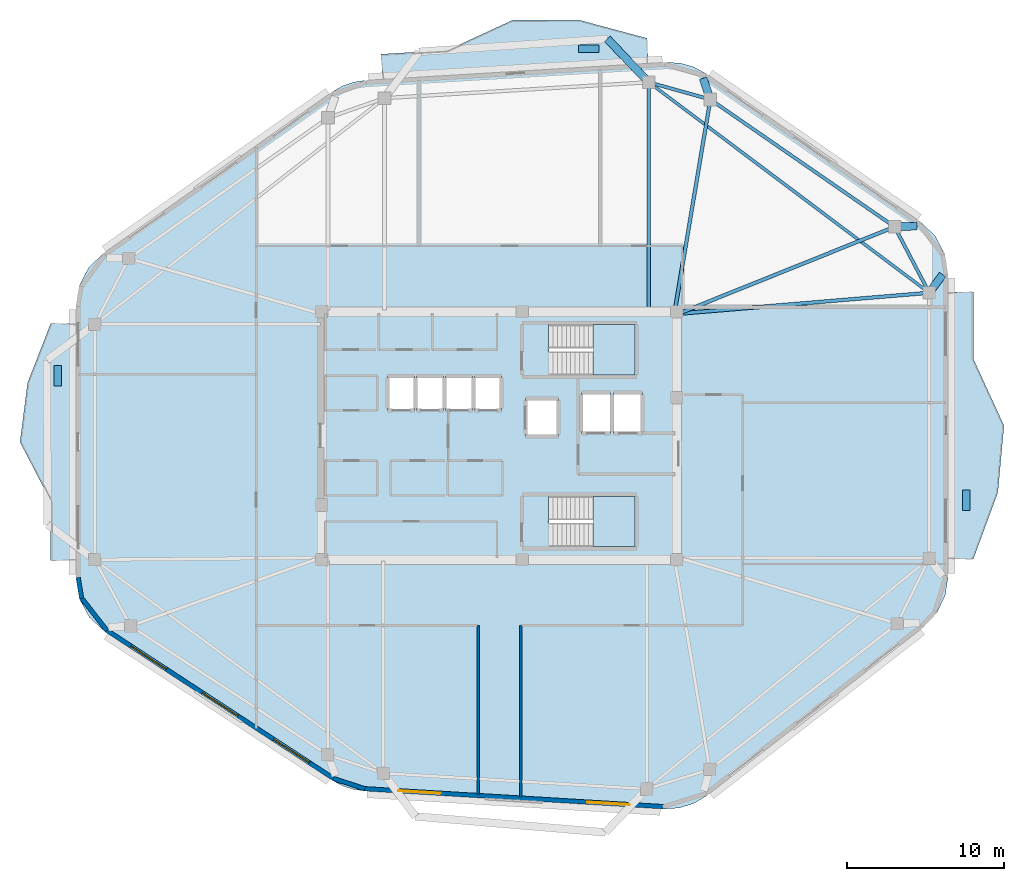
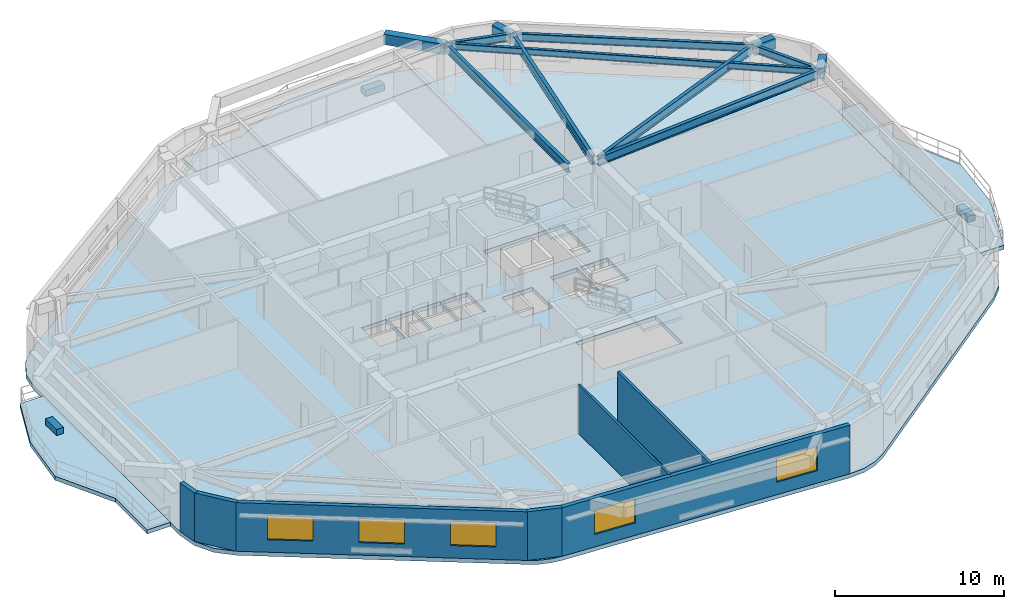
# One storey, part 2 of 9: 12 beams, 7 walls, 6 slabs, 5 windows, 3 plates, 5 openings, 2 elements without a shape of their own.
"""IFC4 building model written with IfcOpenShell, lengths in metres."""

from ifc_helpers import new_model, si_unit, direction, frame, frame_2d, origin, origin_2d, place, context, subcontext, project, spatial, polyline, rectangle, i_section, outline, extrude, material, layer, layer_set, material_profile, profile_set, type_object, element, fill, aggregate, save


model = new_model("IFC4")

# Units and contexts
model_context = context("Model", 3, precision=1e-05, world=origin(), true_north=direction((0.0, 1.0)))
body_context = subcontext(model_context, "Body", "Model", "MODEL_VIEW")
ifc_project = project(units=[si_unit("LENGTHUNIT", "METRE"), si_unit("AREAUNIT", "SQUARE_METRE"), si_unit("VOLUMEUNIT", "CUBIC_METRE"), si_unit("PLANEANGLEUNIT", "RADIAN"), si_unit("MASSUNIT", "GRAM", prefix="KILO")], contexts=[model_context])

# Site, building, storey
site_placement = place(None, origin())
site = spatial("IfcSite", under=ifc_project, at=site_placement, CompositionType="ELEMENT")
building_placement = place(site_placement, origin())
building = spatial("IfcBuilding", under=site, at=building_placement, Name="Zulverin Broadcast Headquarters", CompositionType="ELEMENT")
storey_placement = place(building_placement, frame((0.0, 0.0, 266.800048828125)))
storey = spatial("IfcBuildingStorey", under=building, at=storey_placement, Name="L68", CompositionType="ELEMENT", Elevation=266.800048828125)

# Beams
ifc_material_1 = material(Name="Concrete C40/50", Category="concrete")
ifc_material_profile_1 = material_profile(ifc_material_1, rectangle(XDim=0.5, YDim=0.75, at=origin_2d()), Name="Concrete C40/50", Category="concrete")
ifc_profile_set_1 = profile_set([ifc_material_profile_1], Name="Concrete C40/50")
beam_type_1 = type_object("IfcBeamType", Name="BM-RC-500x750", PredefinedType="BEAM", material=ifc_profile_set_1)
beam_1_placement = place(storey_placement, frame((64.300048828125, 34.275634765625, 3.135009765625), z_axis=(0.594275850381, 0.804261284443, 0.0), x_axis=(-0.804261284443, 0.594275850381, 0.0)))
element("IfcBeam", 1, at=beam_1_placement, inside=storey, type_object=beam_type_1, Name="L69 Plate Overhang Back-Spanned Beam OVR-06", PredefinedType="BEAM", context=body_context, shape_type="SweptSolid", body=[
    extrude(rectangle(XDim=0.5, YDim=0.75, at=origin_2d()), origin(), (0.0, 0.0, 1.0), 1.43017578125),
])
for number, where, z_axis, x_axis, name in (
    (2, (62.102783203125, 38.465087890625, 3.135009765625), (0.99949018153, 0.031927684309, 0.0), (-0.031927684309, 0.99949018153, 0.0), "L69 Plate Overhang Back-Spanned Beam OVR-07"),
    (3, (50.39794921875, 46.554443359375, 3.135009765625), (-0.323542873341, 0.946213511376, 0.0), (-0.946213511376, -0.323542873341, 0.0), "L69 Plate Overhang Back-Spanned Beam OVR-08"),
):
    element("IfcBeam", number, at=place(storey_placement, frame(where, z_axis=z_axis, x_axis=x_axis)), inside=storey, type_object=beam_type_1, Name=name, PredefinedType="BEAM", context=body_context, shape_type="SweptSolid", body=[
        extrude(rectangle(XDim=0.5, YDim=0.75, at=origin_2d()), origin(), (0.0, 0.0, 1.0), 1.429931640625),
    ])
beam_2_placement = place(storey_placement, frame((46.4814453125, 47.6484375, 3.135009765625), z_axis=(-0.689382393643, 0.724397622397, 0.0), x_axis=(-0.724397622397, -0.689382393643, 0.0)))
element("IfcBeam", 4, at=beam_2_placement, inside=storey, type_object=beam_type_1, Name="L69 Balcony Column-Framed Cantilever BAL_N-1", PredefinedType="BEAM", context=body_context, shape_type="SweptSolid", body=[
    extrude(rectangle(XDim=0.5, YDim=0.75, at=origin_2d()), origin(), (0.0, 0.0, 1.0), 3.800048828125),
])
ifc_material_2 = material(Name="Structural steel S355JR", Category="steel")
ifc_material_profile_2 = material_profile(ifc_material_2, i_section(OverallWidth=0.19287109375, OverallDepth=0.46728515625, WebThickness=0.011474609375, FlangeThickness=0.01953125, at=origin_2d()), Name="Structural steel S355JR", Category="steel")
ifc_profile_set_2 = profile_set([ifc_material_profile_2], Name="Structural steel S355JR")
beam_type_2 = type_object("IfcBeamType", Name="BM-UB-457", PredefinedType="JOIST", material=ifc_profile_set_2)
beam_3_placement = place(storey_placement, frame((64.300048828125, 34.275634765625, 3.2763671875), z_axis=(-0.799809280949, 0.600254207905, 0.0), x_axis=(-0.600254207905, -0.799809280949, 0.0)))
element("IfcBeam", 5, at=beam_3_placement, inside=storey, type_object=beam_type_2, Name="L68 Chordal Floor Joist J-02", PredefinedType="JOIST", context=body_context, shape_type="SweptSolid", body=[
    extrude(i_section(OverallWidth=0.19287109375, OverallDepth=0.46728515625, WebThickness=0.011474609375, FlangeThickness=0.01953125, at=origin_2d()), origin(), (0.0, 0.0, 1.0), 22.278564453125),
])
ifc_material_profile_3 = material_profile(ifc_material_2, i_section(OverallWidth=0.2119140625, OverallDepth=0.54443359375, WebThickness=0.0126953125, FlangeThickness=0.021240234375, at=origin_2d()), Name="Structural steel S355JR", Category="steel")
ifc_profile_set_3 = profile_set([ifc_material_profile_3], Name="Structural steel S355JR")
beam_type_3 = type_object("IfcBeamType", Name="BM-UB-533", PredefinedType="SPANDREL", material=ifc_profile_set_3)
beam_4_placement = place(storey_placement, frame((64.300048828125, 34.275634765625, 3.23779296875), z_axis=(-0.464469748171, 0.885588986513, 0.0), x_axis=(-0.885588986513, -0.464469748171, 0.0)))
element("IfcBeam", 6, at=beam_4_placement, inside=storey, type_object=beam_type_3, Name="L68 Perimeter Spandrel Beam SP-06", PredefinedType="SPANDREL", context=body_context, shape_type="SweptSolid", body=[
    extrude(i_section(OverallWidth=0.2119140625, OverallDepth=0.54443359375, WebThickness=0.0126953125, FlangeThickness=0.021240234375, at=origin_2d()), origin(), (0.0, 0.0, 1.0), 4.730712890625),
])
beam_5_placement = place(storey_placement, frame((62.102783203125, 38.465087890625, 3.23779296875), z_axis=(-0.822652126292, 0.568545054597, 0.0), x_axis=(-0.568545054597, -0.822652126292, 0.0)))
element("IfcBeam", 7, at=beam_5_placement, inside=storey, type_object=beam_type_3, Name="L68 Perimeter Spandrel Beam SP-07", PredefinedType="SPANDREL", context=body_context, shape_type="SweptSolid", body=[
    extrude(i_section(OverallWidth=0.2119140625, OverallDepth=0.54443359375, WebThickness=0.0126953125, FlangeThickness=0.021240234375, at=origin_2d()), origin(), (0.0, 0.0, 1.0), 14.228271484375),
])
beam_6_placement = place(storey_placement, frame((50.39794921875, 46.554443359375, 3.23779296875), z_axis=(-0.963131566005, 0.26903082828, 0.0), x_axis=(-0.26903082828, -0.963131566005, 0.0)))
element("IfcBeam", 8, at=beam_6_placement, inside=storey, type_object=beam_type_3, Name="L68 Perimeter Spandrel Beam SP-08", PredefinedType="SPANDREL", context=body_context, shape_type="SweptSolid", body=[
    extrude(i_section(OverallWidth=0.2119140625, OverallDepth=0.54443359375, WebThickness=0.0126953125, FlangeThickness=0.021240234375, at=origin_2d()), origin(), (0.0, 0.0, 1.0), 4.06640625),
])
ifc_material_profile_4 = material_profile(ifc_material_2, i_section(OverallWidth=0.230224609375, OverallDepth=0.6171875, WebThickness=0.01318359375, FlangeThickness=0.022216796875, at=origin_2d()), Name="Structural steel S355JR", Category="steel")
ifc_profile_set_4 = profile_set([ifc_material_profile_4], Name="Structural steel S355JR")
beam_type_4 = type_object("IfcBeamType", Name="BM-UB-610", PredefinedType="BEAM", material=ifc_profile_set_4)
beam_7_placement = place(storey_placement, frame((48.375, 32.949951171875, 3.201416015625), z_axis=(0.996553024533, 0.082958238256, 0.0), x_axis=(-0.082958238256, 0.996553024533, 0.0)))
element("IfcBeam", 9, at=beam_7_placement, inside=storey, type_object=beam_type_4, Name="L68 Radial Primary Floor Beam RB-06", PredefinedType="BEAM", context=body_context, shape_type="SweptSolid", body=[
    extrude(i_section(OverallWidth=0.230224609375, OverallDepth=0.6171875, WebThickness=0.01318359375, FlangeThickness=0.022216796875, at=origin_2d()), origin(), (0.0, 0.0, 1.0), 15.980224609375),
])
beam_8_placement = place(storey_placement, frame((48.375, 32.949951171875, 3.201416015625), z_axis=(0.927915690744, 0.37279011638, 0.0), x_axis=(-0.37279011638, 0.927915690744, 0.0)))
element("IfcBeam", 10, at=beam_8_placement, inside=storey, type_object=beam_type_4, Name="L68 Radial Primary Floor Beam RB-07", PredefinedType="BEAM", context=body_context, shape_type="SweptSolid", body=[
    extrude(i_section(OverallWidth=0.230224609375, OverallDepth=0.6171875, WebThickness=0.01318359375, FlangeThickness=0.022216796875, at=origin_2d()), origin(), (0.0, 0.0, 1.0), 14.794189453125),
])
beam_9_placement = place(storey_placement, frame((48.14990234375, 33.175048828125, 3.201416015625), z_axis=(0.165700339104, 0.986176149388, 0.0), x_axis=(-0.986176149388, 0.165700339104, 0.0)))
element("IfcBeam", 11, at=beam_9_placement, inside=storey, type_object=beam_type_4, Name="L68 Radial Primary Floor Beam RB-08", PredefinedType="BEAM", context=body_context, shape_type="SweptSolid", body=[
    extrude(i_section(OverallWidth=0.230224609375, OverallDepth=0.6171875, WebThickness=0.01318359375, FlangeThickness=0.022216796875, at=origin_2d()), origin(), (0.0, 0.0, 1.0), 13.56689453125),
])
beam_10_placement = place(storey_placement, frame((46.4814453125, 33.175048828125, 3.201416015625), z_axis=(0.0, 1.0, 0.0), x_axis=(-1.0, 0.0, 0.0)))
element("IfcBeam", 12, at=beam_10_placement, inside=storey, type_object=beam_type_4, Name="L68 Radial Primary Floor Beam RB-09", PredefinedType="BEAM", context=body_context, shape_type="SweptSolid", body=[
    extrude(i_section(OverallWidth=0.230224609375, OverallDepth=0.6171875, WebThickness=0.01318359375, FlangeThickness=0.022216796875, at=origin_2d()), origin(), (0.0, 0.0, 1.0), 14.473388671875),
])

# Plates
ifc_material_3 = material(Name="Precast concrete C45/55", Category="concrete")
ifc_layer_1 = layer(ifc_material_3, 0.449951171875, Name="Precast concrete C45/55", Category="concrete")
ifc_layer_set_1 = layer_set([ifc_layer_1], Name="Precast concrete C45/55")
plate_type = type_object("IfcPlateType", Name="PT-01_PRECAST_GFRC_TREE_PLANTER", PredefinedType="USERDEFINED", material=ifc_layer_set_1)
for number, where, z_axis, x_axis, name in (
    (13, (66.64990234375, 21.0908203125, -0.0048828125), (0.0, 0.0, 1.0), (0.0, 1.0, 0.0), "L68 Precast GFRC Tree Planter BAL_E"),
    (14, (42.6767578125, 49.7744140625, -0.0048828125), (0.0, 0.0, 1.0), (1.0, 0.0, 0.0), "L68 Precast GFRC Tree Planter BAL_N"),
    (15, (8.949951171875, 29.0126953125, -0.0048828125), (0.0, 0.0, 1.0), (0.0, 1.0, 0.0), "L68 Precast GFRC Tree Planter BAL_W"),
):
    element("IfcPlate", number, at=place(storey_placement, frame(where, z_axis=z_axis, x_axis=x_axis)), inside=storey, type_object=plate_type, Name=name, ObjectType="PLANTER", PredefinedType="USERDEFINED", context=body_context, shape_type="SweptSolid", body=[
        extrude(rectangle(XDim=1.300048828125, YDim=0.5, at=origin_2d()), origin(), (0.0, 0.0, 1.0), 0.449951171875),
    ])

# Slabs
ifc_layer_2 = layer(ifc_material_1, 0.2900390625, Name="Concrete C40/50", Category="concrete")
ifc_layer_set_2 = layer_set([ifc_layer_2], Name="Concrete C40/50")
slab_type_1 = type_object("IfcSlabType", Name="SLB-BAL-290", PredefinedType="FLOOR", material=ifc_layer_set_2)
slab_1_placement = place(storey_placement, frame((0.0, 0.0, -0.2900390625)))
element("IfcSlab", 16, at=slab_1_placement, inside=storey, type_object=slab_type_1, Name="L68 Cantilevered Planted Balcony Slab BAL_E", PredefinedType="FLOOR", context=body_context, shape_type="SweptSolid", body=[
    extrude(outline(polyline([(65.5, 34.32568359375), (65.5, 17.357666015625), (67.10009765625, 17.357666015625), (68.66162109375, 21.599609375), (69.050048828125, 25.841796875), (67.10009765625, 30.083740234375), (67.10009765625, 34.32568359375), (65.5, 34.32568359375)])), origin(), (0.0, 0.0, 1.0), 0.2900390625),
])
slab_2_placement = place(storey_placement, frame((0.0, 0.0, -0.2900390625)))
element("IfcSlab", 17, at=slab_2_placement, inside=storey, type_object=slab_type_1, Name="L68 Cantilevered Planted Balcony Slab BAL_N", PredefinedType="FLOOR", context=body_context, shape_type="SweptSolid", body=[
    extrude(outline(polyline([(29.5791015625, 47.835693359375), (46.45947265625, 48.849365234375), (46.363525390625, 50.4462890625), (42.05859375, 51.602783203125), (37.824462890625, 51.58740234375), (33.703125, 49.686279296875), (29.483154296875, 49.43310546875), (29.5791015625, 47.835693359375)])), origin(), (0.0, 0.0, 1.0), 0.2900390625),
])
slab_3_placement = place(storey_placement, frame((0.0, 0.0, -0.2900390625)))
element("IfcSlab", 18, at=slab_3_placement, inside=storey, type_object=slab_type_1, Name="L68 Cantilevered Planted Balcony Slab BAL_W", PredefinedType="FLOOR", context=body_context, shape_type="SweptSolid", body=[
    extrude(outline(polyline([(10.10009765625, 17.2685546875), (10.10009765625, 32.3251953125), (8.5, 32.3251953125), (7.031005859375, 28.56103515625), (6.550048828125, 24.797119140625), (8.5, 21.03271484375), (8.5, 17.2685546875), (10.10009765625, 17.2685546875)])), origin(), (0.0, 0.0, 1.0), 0.2900390625),
])

# Stair, slab
stair_type = type_object("IfcStairType", Name="ST-CORE-1500", PredefinedType="HALF_TURN_STAIR", material=ifc_material_1)
stair_1_placement = place(storey_placement, origin())
stair_1 = element("IfcStair", 19, at=stair_1_placement, inside=storey, type_object=stair_type, Name="L68 Core Exit Stair ST-1", PredefinedType="HALF_TURN_STAIR")
ifc_layer_3 = layer(ifc_material_1, 0.199951171875, Name="Concrete C40/50", Category="concrete")
ifc_layer_set_3 = layer_set([ifc_layer_3], Name="Concrete C40/50")
slab_type_2 = type_object("IfcSlabType", Name="SLB-ST-LND200", PredefinedType="LANDING", material=ifc_layer_set_3)
slab_4_placement = place(storey_placement, frame((0.0, 0.0, 1.699951171875)))
slab_4 = element("IfcSlab", 20, at=slab_4_placement, type_object=slab_type_2, Name="ST-1 landing 1", PredefinedType="LANDING", context=body_context, shape_type="SweptSolid", body=[
    extrude(outline(polyline([(42.929931640625, 29.050048828125), (45.60009765625, 29.050048828125), (45.60009765625, 32.25), (42.929931640625, 32.25), (42.929931640625, 29.050048828125)])), origin(), (0.0, 0.0, 1.0), 0.199951171875),
])
aggregate(stair_1, [slab_4])

stair_2_placement = place(storey_placement, origin())
stair_2 = element("IfcStair", 21, at=stair_2_placement, inside=storey, type_object=stair_type, Name="L68 Core Exit Stair ST-2", PredefinedType="HALF_TURN_STAIR")
slab_5_placement = place(storey_placement, frame((0.0, 0.0, 1.699951171875)))
slab_5 = element("IfcSlab", 22, at=slab_5_placement, type_object=slab_type_2, Name="ST-2 landing 1", PredefinedType="LANDING", context=body_context, shape_type="SweptSolid", body=[
    extrude(outline(polyline([(42.929931640625, 18.14990234375), (45.60009765625, 18.14990234375), (45.60009765625, 21.35009765625), (42.929931640625, 21.35009765625), (42.929931640625, 18.14990234375)])), origin(), (0.0, 0.0, 1.0), 0.199951171875),
])
aggregate(stair_2, [slab_5])

# Slab
ifc_layer_4 = layer(ifc_material_1, 0.2900390625, Name="Concrete C40/50", Category="concrete")
ifc_layer_set_4 = layer_set([ifc_layer_4], Name="Concrete C40/50")
slab_type_3 = type_object("IfcSlabType", Name="SLB-TWR-290", PredefinedType="FLOOR", material=ifc_layer_set_4)
slab_6_placement = place(storey_placement, frame((0.0, 0.0, -0.2900390625)))
element("IfcSlab", 23, at=slab_6_placement, inside=storey, type_object=slab_type_3, Name="L68 Main Structural Floor Slab", PredefinedType="FLOOR", context=body_context, shape_type="SweptSolid", body=[
    extrude(outline(polyline([(26.405029296875, 3.295166015625), (27.029296875, 2.96044921875), (27.70166015625, 2.738037109375), (28.402099609375, 2.634765625), (47.427490234375, 1.49267578125), (48.40869140625, 1.5517578125), (49.347412109375, 1.842529296875), (50.18994140625, 2.348388671875), (63.91650390625, 13.02099609375), (64.7685546875, 13.92041015625), (65.312744140625, 15.033203125), (65.5, 16.2578125), (65.5, 35.42578125), (65.289306640625, 36.723388671875), (64.6787109375, 37.887451171875), (63.73095703125, 38.798583984375), (50.13427734375, 48.1953125), (49.3359375, 48.625244140625), (48.462890625, 48.869140625), (47.557373046875, 48.915283203125), (28.48095703125, 47.77001953125), (27.73291015625, 47.655029296875), (27.0185546875, 47.404541015625), (26.362548828125, 47.027099609375), (11.8359375, 36.775146484375), (10.9052734375, 35.865478515625), (10.306396484375, 34.710205078125), (10.10009765625, 33.42529296875), (10.10009765625, 16.168701171875), (10.322021484375, 14.83740234375), (10.96435546875, 13.650390625), (11.957275390625, 12.736328125), (26.405029296875, 3.295166015625)]), holes=[polyline([(40.155029296875, 30.75), (40.130126953125, 30.75), (40.130126953125, 32.25), (45.60009765625, 32.25), (45.60009765625, 29.050048828125), (40.155029296875, 29.050048828125), (40.155029296875, 30.75)]), polyline([(40.155029296875, 19.85009765625), (40.130126953125, 19.85009765625), (40.130126953125, 21.35009765625), (45.60009765625, 21.35009765625), (45.60009765625, 18.14990234375), (40.155029296875, 18.14990234375), (40.155029296875, 19.85009765625)]), polyline([(29.89990234375, 26.800048828125), (31.6201171875, 26.800048828125), (31.6201171875, 29.0), (29.89990234375, 29.0), (29.89990234375, 26.800048828125)]), polyline([(31.739990234375, 26.800048828125), (33.4599609375, 26.800048828125), (33.4599609375, 29.0), (31.739990234375, 29.0), (31.739990234375, 26.800048828125)]), polyline([(33.580078125, 26.800048828125), (35.300048828125, 26.800048828125), (35.300048828125, 29.0), (33.580078125, 29.0), (33.580078125, 26.800048828125)]), polyline([(35.419921875, 26.800048828125), (37.139892578125, 26.800048828125), (37.139892578125, 29.0), (35.419921875, 29.0), (35.419921875, 26.800048828125)]), polyline([(42.199951171875, 25.35009765625), (44.050048828125, 25.35009765625), (44.050048828125, 27.949951171875), (42.199951171875, 27.949951171875), (42.199951171875, 25.35009765625)]), polyline([(44.25, 25.35009765625), (46.10009765625, 25.35009765625), (46.10009765625, 27.949951171875), (44.25, 27.949951171875), (44.25, 25.35009765625)]), polyline([(38.64990234375, 25.14990234375), (40.75, 25.14990234375), (40.75, 27.550048828125), (38.64990234375, 27.550048828125), (38.64990234375, 25.14990234375)])]), origin(), (0.0, 0.0, 1.0), 0.2900390625),
])

# Wall, openings, windows
ifc_material_4 = material(Name="Insulated pale-metal clad concrete spandrel C40/50", Category="concrete")
ifc_layer_5 = layer(ifc_material_4, 0.280029296875, Name="Insulated pale-metal clad concrete spandrel C40/50", Category="concrete")
ifc_layer_set_5 = layer_set([ifc_layer_5], Name="Insulated pale-metal clad concrete spandrel C40/50")
wall_type_1 = type_object("IfcWallType", Name="WL-EXT-280", PredefinedType="STANDARD", material=ifc_layer_set_5)
wall_1_placement = place(storey_placement, frame((28.41064453125, 2.7744140625, 0.0), z_axis=(0.0, 0.0, 1.0), x_axis=(0.998203068368, -0.059921901676, 0.0)))
wall_1 = element("IfcWall", 24, at=wall_1_placement, inside=storey, type_object=wall_type_1, Name="L68 Pale-Metal Clad Spandrel Wall 1", PredefinedType="STANDARD", context=body_context, shape_type="SweptSolid", body=[
    extrude(rectangle(XDim=19.0595703125, YDim=0.280029296875, at=frame_2d((9.52978515625, 0.0))), origin(), (0.0, 0.0, 1.0), 3.510009765625),
])
opening_1_placement = place(wall_1_placement, frame((2.159912109375, 0.0, 0.89990234375)))
opening_1 = element("IfcOpeningElement", 25, at=opening_1_placement, cuts=wall_1, Name="Opening W-L68-E11", PredefinedType="OPENING", context=body_context, shape_type="SweptSolid", body=[
    extrude(rectangle(XDim=2.699951171875, YDim=1.75, at=frame_2d((1.35009765625, 0.875))), frame((0.0, 0.14990234375, 0.0), z_axis=(0.0, -1.0, 0.0), x_axis=(1.0, 0.0, 0.0)), (0.0, 0.0, 1.0), 0.300048828125),
])
opening_2_placement = place(wall_1_placement, frame((14.19970703125, 0.0, 0.89990234375)))
opening_2 = element("IfcOpeningElement", 26, at=opening_2_placement, cuts=wall_1, Name="Opening W-L68-E12", PredefinedType="OPENING", context=body_context, shape_type="SweptSolid", body=[
    extrude(rectangle(XDim=2.699951171875, YDim=1.75, at=frame_2d((1.35009765625, 0.875))), frame((0.0, 0.14990234375, 0.0), z_axis=(0.0, -1.0, 0.0), x_axis=(1.0, 0.0, 0.0)), (0.0, 0.0, 1.0), 0.300048828125),
])
ifc_material_5 = material(Name="Pale anodized aluminium frame with solar-control low-E double glazing", Category="aluminium")
window_type = type_object("IfcWindowType", Name="WIN-TWR-2700", PartitioningType="SINGLE_PANEL", PredefinedType="WINDOW", material=ifc_material_5)
window_1_placement = place(opening_1_placement, origin())
window_1 = element("IfcWindow", 27, at=window_1_placement, inside=storey, type_object=window_type, Name="L68 Ribbon Glazing Window 1 1", OverallHeight=1.75, OverallWidth=2.699951171875, PartitioningType="SINGLE_PANEL", PredefinedType="WINDOW", context=body_context, shape_type="SweptSolid", body=[
    extrude(rectangle(XDim=2.699951171875, YDim=1.75, at=frame_2d((1.35009765625, 0.875))), frame((0.0, 0.030029296875, 0.0), z_axis=(0.0, -1.0, 0.0), x_axis=(1.0, 0.0, 0.0)), (0.0, 0.0, 1.0), 0.06005859375),
])
fill(opening_1, window_1)
window_2_placement = place(opening_2_placement, origin())
window_2 = element("IfcWindow", 28, at=window_2_placement, inside=storey, type_object=window_type, Name="L68 Ribbon Glazing Window 1 2", OverallHeight=1.75, OverallWidth=2.699951171875, PartitioningType="SINGLE_PANEL", PredefinedType="WINDOW", context=body_context, shape_type="SweptSolid", body=[
    extrude(rectangle(XDim=2.699951171875, YDim=1.75, at=frame_2d((1.35009765625, 0.875))), frame((0.0, 0.030029296875, 0.0), z_axis=(0.0, -1.0, 0.0), x_axis=(1.0, 0.0, 0.0)), (0.0, 0.0, 1.0), 0.06005859375),
])
fill(opening_2, window_2)

wall_2_placement = place(storey_placement, frame((12.03369140625, 12.853515625, 0.0), z_axis=(0.0, 0.0, 1.0), x_axis=(0.837118352984, -0.547021812269, 0.0)))
wall_2 = element("IfcWall", 29, at=wall_2_placement, inside=storey, type_object=wall_type_1, Name="L68 Pale-Metal Clad Spandrel Wall 8", PredefinedType="STANDARD", context=body_context, shape_type="SweptSolid", body=[
    extrude(rectangle(XDim=17.25927734375, YDim=0.280029296875, at=frame_2d((8.629638671875, 0.0))), origin(), (0.0, 0.0, 1.0), 3.510009765625),
])
opening_3_placement = place(wall_2_placement, frame((1.85986328125, 0.0, 0.89990234375)))
opening_3 = element("IfcOpeningElement", 30, at=opening_3_placement, cuts=wall_2, Name="Opening W-L68-E81", PredefinedType="OPENING", context=body_context, shape_type="SweptSolid", body=[
    extrude(rectangle(XDim=2.699951171875, YDim=1.75, at=frame_2d((1.35009765625, 0.875))), frame((0.0, 0.14990234375, 0.0), z_axis=(0.0, -1.0, 0.0), x_axis=(1.0, 0.0, 0.0)), (0.0, 0.0, 1.0), 0.300048828125),
])
opening_4_placement = place(wall_2_placement, frame((7.279541015625, 0.0, 0.89990234375)))
opening_4 = element("IfcOpeningElement", 31, at=opening_4_placement, cuts=wall_2, Name="Opening W-L68-E82", PredefinedType="OPENING", context=body_context, shape_type="SweptSolid", body=[
    extrude(rectangle(XDim=2.699951171875, YDim=1.75, at=frame_2d((1.35009765625, 0.875))), frame((0.0, 0.14990234375, 0.0), z_axis=(0.0, -1.0, 0.0), x_axis=(1.0, 0.0, 0.0)), (0.0, 0.0, 1.0), 0.300048828125),
])
opening_5_placement = place(wall_2_placement, frame((12.69921875, 0.0, 0.89990234375)))
opening_5 = element("IfcOpeningElement", 32, at=opening_5_placement, cuts=wall_2, Name="Opening W-L68-E83", PredefinedType="OPENING", context=body_context, shape_type="SweptSolid", body=[
    extrude(rectangle(XDim=2.699951171875, YDim=1.75, at=frame_2d((1.35009765625, 0.875))), frame((0.0, 0.14990234375, 0.0), z_axis=(0.0, -1.0, 0.0), x_axis=(1.0, 0.0, 0.0)), (0.0, 0.0, 1.0), 0.300048828125),
])
window_3_placement = place(opening_3_placement, origin())
window_3 = element("IfcWindow", 33, at=window_3_placement, inside=storey, type_object=window_type, Name="L68 Ribbon Glazing Window 8 1", OverallHeight=1.75, OverallWidth=2.699951171875, PartitioningType="SINGLE_PANEL", PredefinedType="WINDOW", context=body_context, shape_type="SweptSolid", body=[
    extrude(rectangle(XDim=2.699951171875, YDim=1.75, at=frame_2d((1.35009765625, 0.875))), frame((0.0, 0.030029296875, 0.0), z_axis=(0.0, -1.0, 0.0), x_axis=(1.0, 0.0, 0.0)), (0.0, 0.0, 1.0), 0.06005859375),
])
fill(opening_3, window_3)
window_4_placement = place(opening_4_placement, origin())
window_4 = element("IfcWindow", 34, at=window_4_placement, inside=storey, type_object=window_type, Name="L68 Ribbon Glazing Window 8 2", OverallHeight=1.75, OverallWidth=2.699951171875, PartitioningType="SINGLE_PANEL", PredefinedType="WINDOW", context=body_context, shape_type="SweptSolid", body=[
    extrude(rectangle(XDim=2.699951171875, YDim=1.75, at=frame_2d((1.35009765625, 0.875))), frame((0.0, 0.030029296875, 0.0), z_axis=(0.0, -1.0, 0.0), x_axis=(1.0, 0.0, 0.0)), (0.0, 0.0, 1.0), 0.06005859375),
])
fill(opening_4, window_4)
window_5_placement = place(opening_5_placement, origin())
window_5 = element("IfcWindow", 35, at=window_5_placement, inside=storey, type_object=window_type, Name="L68 Ribbon Glazing Window 8 3", OverallHeight=1.75, OverallWidth=2.699951171875, PartitioningType="SINGLE_PANEL", PredefinedType="WINDOW", context=body_context, shape_type="SweptSolid", body=[
    extrude(rectangle(XDim=2.699951171875, YDim=1.75, at=frame_2d((1.35009765625, 0.875))), frame((0.0, 0.030029296875, 0.0), z_axis=(0.0, -1.0, 0.0), x_axis=(1.0, 0.0, 0.0)), (0.0, 0.0, 1.0), 0.06005859375),
])
fill(opening_5, window_5)

# Walls
wall_3_placement = place(storey_placement, frame((10.238037109375, 16.191650390625, 0.0), z_axis=(0.0, 0.0, 1.0), x_axis=(0.164604311367, -0.986359681191, 0.0)))
element("IfcWall", 36, at=wall_3_placement, inside=storey, type_object=wall_type_1, Name="L68 Wind-Shaped Corner Spandrel Wall 7-1", PredefinedType="STANDARD", context=body_context, shape_type="SweptSolid", body=[
    extrude(rectangle(XDim=1.349609375, YDim=0.280029296875, at=frame_2d((0.6748046875, 0.0))), origin(), (0.0, 0.0, 1.0), 3.510009765625),
])
wall_4_placement = place(storey_placement, frame((10.4326171875, 14.92333984375, 0.0), z_axis=(0.0, 0.0, 1.0), x_axis=(0.614181852676, -0.78916452774, 0.0)))
element("IfcWall", 37, at=wall_4_placement, inside=storey, type_object=wall_type_1, Name="L68 Wind-Shaped Corner Spandrel Wall 7-2", PredefinedType="STANDARD", context=body_context, shape_type="SweptSolid", body=[
    extrude(rectangle(XDim=2.662109375, YDim=0.280029296875, at=frame_2d((1.3310546875, 0.0))), origin(), (0.0, 0.0, 1.0), 3.510009765625),
])
wall_5_placement = place(storey_placement, frame((26.44921875, 3.427978515625, 0.0), z_axis=(0.0, 0.0, 1.0), x_axis=(0.949435039229, -0.313963542923, 0.0)))
element("IfcWall", 38, at=wall_5_placement, inside=storey, type_object=wall_type_1, Name="L68 Wind-Shaped Corner Spandrel Wall 8-1", PredefinedType="STANDARD", context=body_context, shape_type="SweptSolid", body=[
    extrude(rectangle(XDim=2.103515625, YDim=0.280029296875, at=frame_2d((1.0517578125, 0.0))), origin(), (0.0, 0.0, 1.0), 3.510009765625),
])
ifc_material_6 = material(Name="Fire-rated gypsum stud partition", Category="gypsum")
ifc_layer_6 = layer(ifc_material_6, 0.14990234375, Name="Fire-rated gypsum stud partition", Category="gypsum")
ifc_layer_set_6 = layer_set([ifc_layer_6], Name="Fire-rated gypsum stud partition")
wall_type_2 = type_object("IfcWallType", Name="WL-PART-150", PredefinedType="PARTITIONING", material=ifc_layer_set_6)
wall_6_placement = place(storey_placement, frame((35.64990234375, 2.40478515625, 0.0), z_axis=(0.0, 0.0, 1.0), x_axis=(0.0, 1.0, 0.0)))
element("IfcWall", 39, at=wall_6_placement, inside=storey, type_object=wall_type_2, Name="L68 Gallery Partition Wall CG-05", PredefinedType="PARTITIONING", context=body_context, shape_type="SweptSolid", body=[
    extrude(rectangle(XDim=10.7451171875, YDim=0.14990234375, at=frame_2d((5.37255859375, 0.0))), origin(), (0.0, 0.0, 1.0), 3.510009765625),
])
ifc_material_7 = material(Name="Fire-rated acoustic stud wall", Category="gypsum")
ifc_layer_7 = layer(ifc_material_7, 0.175048828125, Name="Fire-rated acoustic stud wall", Category="gypsum")
ifc_layer_set_7 = layer_set([ifc_layer_7], Name="Fire-rated acoustic stud wall")
wall_type_3 = type_object("IfcWallType", Name="WL-PART-175", PredefinedType="PARTITIONING", material=ifc_layer_set_7)
wall_7_placement = place(storey_placement, frame((38.35009765625, 2.24267578125, 0.0), z_axis=(0.0, 0.0, 1.0), x_axis=(0.0, 1.0, 0.0)))
element("IfcWall", 40, at=wall_7_placement, inside=storey, type_object=wall_type_3, Name="L68 Gallery Partition Wall CG-04", PredefinedType="PARTITIONING", context=body_context, shape_type="SweptSolid", body=[
    extrude(rectangle(XDim=10.9072265625, YDim=0.175048828125, at=frame_2d((5.45361328125, 0.0))), origin(), (0.0, 0.0, 1.0), 3.510009765625),
])

save(model, "model.ifc")
